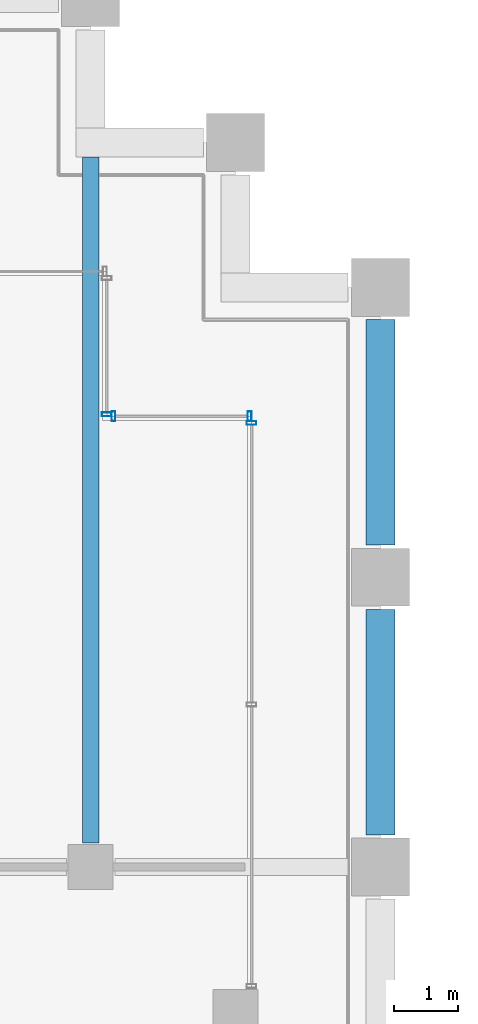
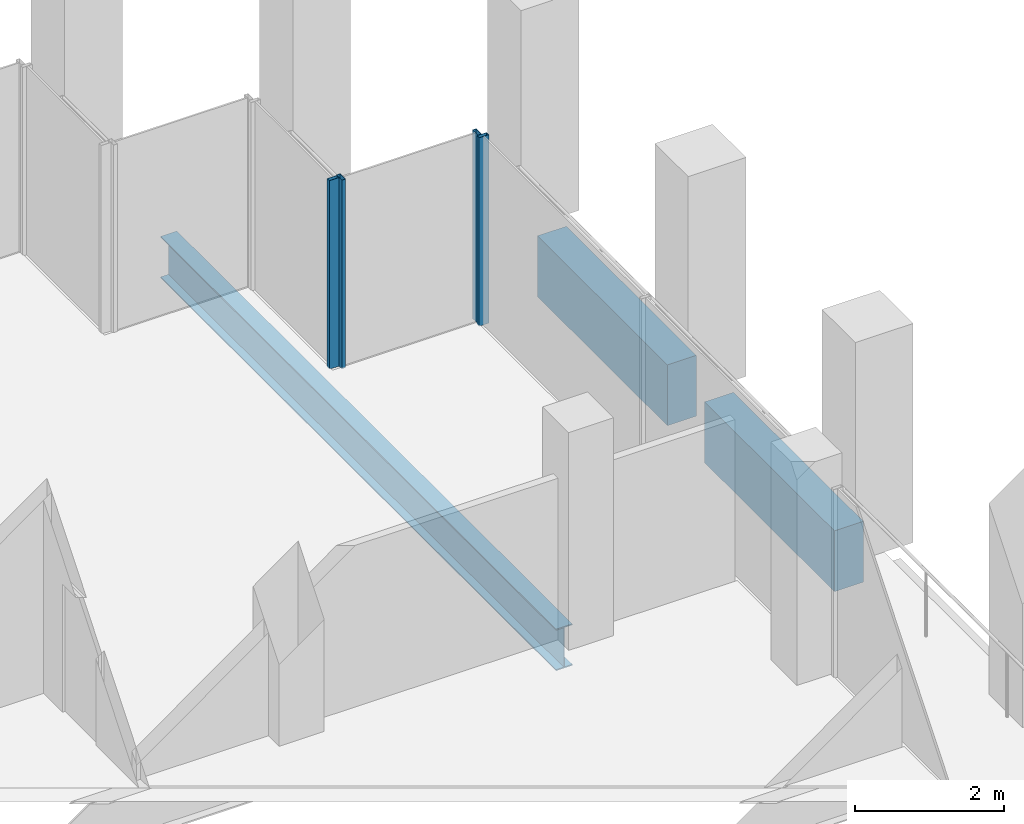
# One storey, part 25 of 44: 4 members, 3 beams, 3 elements without a shape of their own.
"""IFC4 building model written with IfcOpenShell, lengths in metres."""

from ifc_helpers import new_model, si_unit, direction, frame, origin, origin_2d, place, context, subcontext, project, spatial, rectangle, hollow_rectangle, i_section, extrude, material, material_profile, profile_set, type_object, element, aggregate, save


model = new_model("IFC4")

# Units and contexts
model_context = context("Model", 3, precision=1e-05, world=origin(), true_north=direction((0.0, 1.0)))
body_context = subcontext(model_context, "Body", "Model", "MODEL_VIEW")
ifc_project = project(units=[si_unit("LENGTHUNIT", "METRE"), si_unit("AREAUNIT", "SQUARE_METRE"), si_unit("VOLUMEUNIT", "CUBIC_METRE"), si_unit("PLANEANGLEUNIT", "RADIAN"), si_unit("MASSUNIT", "GRAM", prefix="KILO")], contexts=[model_context])

# Site, building, storey
site_placement = place(None, origin())
site = spatial("IfcSite", under=ifc_project, at=site_placement, CompositionType="ELEMENT")
building_placement = place(site_placement, origin())
building = spatial("IfcBuilding", under=site, at=building_placement, Name="Altepetl Exchange Towers", CompositionType="ELEMENT")
storey_placement = place(building_placement, frame((0.0, 0.0, 143.800048828125)))
storey = spatial("IfcBuildingStorey", under=building, at=storey_placement, Name="L35", CompositionType="ELEMENT", Elevation=143.800048828125)

# Beam
ifc_material_1 = material(Name="Steel S355", Category="steel")
ifc_material_profile_1 = material_profile(ifc_material_1, i_section(OverallWidth=0.25390625, OverallDepth=0.68408203125, WebThickness=0.012451171875, FlangeThickness=0.018798828125, at=origin_2d()), Name="W27X94")
ifc_profile_set_1 = profile_set([ifc_material_profile_1], Name="Steel S355")
beam_type_1 = type_object("IfcBeamType", Name="Floor beam W27X94", PredefinedType="BEAM", material=ifc_profile_set_1)
beam_placement = place(storey_placement, frame((67.5, 58.875, -0.491943359375), z_axis=(0.0, 1.0, 0.0), x_axis=(-1.0, 0.0, 0.0)))
element("IfcBeam", 1, at=beam_placement, inside=storey, type_object=beam_type_1, Name="bm:A:L35:005", PredefinedType="BEAM", context=body_context, shape_type="SweptSolid", body=[
    extrude(i_section(OverallWidth=0.25390625, OverallDepth=0.68408203125, WebThickness=0.012451171875, FlangeThickness=0.018798828125, at=origin_2d()), origin(), (0.0, 0.0, 1.0), 10.64990234375),
])

# Curtain wall, member
ifc_material_2 = material(Name="Aluminium 6063-T6 glazing", Category="aluminium")
curtain_wall_type = type_object("IfcCurtainWallType", Name="Loggia glazing system", PredefinedType="NOTDEFINED", material=ifc_material_2)
curtain_wall_1_placement = place(storey_placement, origin())
curtain_wall_1 = element("IfcCurtainWall", 2, at=curtain_wall_1_placement, inside=storey, type_object=curtain_wall_type, Name="CW1 run", PredefinedType="NOTDEFINED")
ifc_material_3 = material(Name="Aluminium 6063-T6", Category="aluminium")
ifc_material_profile_2 = material_profile(ifc_material_3, hollow_rectangle(XDim=0.06005859375, YDim=0.14990234375, WallThickness=0.0029296875, at=origin_2d()), Name="Mullion 60x150 aluminium")
ifc_profile_set_2 = profile_set([ifc_material_profile_2], Name="Aluminium 6063-T6")
member_type = type_object("IfcMemberType", Name="Mullion 60x150 aluminium", PredefinedType="MULLION", material=ifc_profile_set_2)
member_1_placement = place(storey_placement, frame((70.0, 65.39501953125, 0.0), z_axis=(0.0, 0.0, 1.0), x_axis=(0.0, 1.0, 0.0)))
member_1 = element("IfcMember", 3, at=member_1_placement, type_object=member_type, Name="MU1 mullion", PredefinedType="MULLION", context=body_context, shape_type="SweptSolid", body=[
    extrude(hollow_rectangle(XDim=0.06005859375, YDim=0.14990234375, WallThickness=0.0029296875, at=origin_2d()), origin(), (0.0, 0.0, 1.0), 3.099853515625),
])
aggregate(curtain_wall_1, [member_1])

# Curtain wall, members
curtain_wall_2_placement = place(storey_placement, origin())
curtain_wall_2 = element("IfcCurtainWall", 4, at=curtain_wall_2_placement, inside=storey, type_object=curtain_wall_type, Name="CW1 run", PredefinedType="NOTDEFINED")
member_2_placement = place(storey_placement, frame((69.969970703125, 65.5, 0.0), z_axis=(0.0, 0.0, 1.0), x_axis=(-1.0, 0.0, 0.0)))
member_2 = element("IfcMember", 5, at=member_2_placement, type_object=member_type, Name="MU1 mullion", PredefinedType="MULLION", context=body_context, shape_type="SweptSolid", body=[
    extrude(hollow_rectangle(XDim=0.06005859375, YDim=0.14990234375, WallThickness=0.0029296875, at=origin_2d()), origin(), (0.0, 0.0, 1.0), 3.099853515625),
])
member_3_placement = place(storey_placement, frame((67.85498046875, 65.5, 0.0), z_axis=(0.0, 0.0, 1.0), x_axis=(-1.0, 0.0, 0.0)))
member_3 = element("IfcMember", 6, at=member_3_placement, type_object=member_type, Name="MU1 mullion", PredefinedType="MULLION", context=body_context, shape_type="SweptSolid", body=[
    extrude(hollow_rectangle(XDim=0.06005859375, YDim=0.14990234375, WallThickness=0.0029296875, at=origin_2d()), origin(), (0.0, 0.0, 1.0), 3.099853515625),
])
aggregate(curtain_wall_2, [member_2, member_3])

# Curtain wall, member
curtain_wall_3_placement = place(storey_placement, origin())
curtain_wall_3 = element("IfcCurtainWall", 7, at=curtain_wall_3_placement, inside=storey, type_object=curtain_wall_type, Name="CW1 run", PredefinedType="NOTDEFINED")
member_4_placement = place(storey_placement, frame((67.75, 65.530029296875, 0.0), z_axis=(0.0, 0.0, 1.0), x_axis=(0.0, 1.0, 0.0)))
member_4 = element("IfcMember", 8, at=member_4_placement, type_object=member_type, Name="MU1 mullion", PredefinedType="MULLION", context=body_context, shape_type="SweptSolid", body=[
    extrude(hollow_rectangle(XDim=0.06005859375, YDim=0.14990234375, WallThickness=0.0029296875, at=origin_2d()), origin(), (0.0, 0.0, 1.0), 3.099853515625),
])
aggregate(curtain_wall_3, [member_4])

# Beams
ifc_material_4 = material(Name="Concrete C50/60 precast with cantera rosa facing", Category="concrete")
ifc_material_profile_3 = material_profile(ifc_material_4, rectangle(XDim=0.449951171875, YDim=1.0, at=origin_2d()), Name="450 x 1000")
ifc_profile_set_3 = profile_set([ifc_material_profile_3], Name="Concrete C50/60 precast with cantera rosa facing")
beam_type_2 = type_object("IfcBeamType", Name="Spandrel beam 450x1000 cantera rosa", PredefinedType="SPANDREL", material=ifc_profile_set_3)
for number, where, z_axis, x_axis, name in (
    (9, (72.0, 59.0, -0.650146484375), (0.0, 1.0, 0.0), (-1.0, 0.0, 0.0), "sp:A:L35:018"),
    (10, (72.0, 63.5, -0.650146484375), (0.0, 1.0, 0.0), (-1.0, 0.0, 0.0), "sp:A:L35:019"),
):
    element("IfcBeam", number, at=place(storey_placement, frame(where, z_axis=z_axis, x_axis=x_axis)), inside=storey, type_object=beam_type_2, Name=name, PredefinedType="SPANDREL", context=body_context, shape_type="SweptSolid", body=[
        extrude(rectangle(XDim=0.449951171875, YDim=1.0, at=origin_2d()), origin(), (0.0, 0.0, 1.0), 3.5),
    ])

save(model, "model.ifc")
